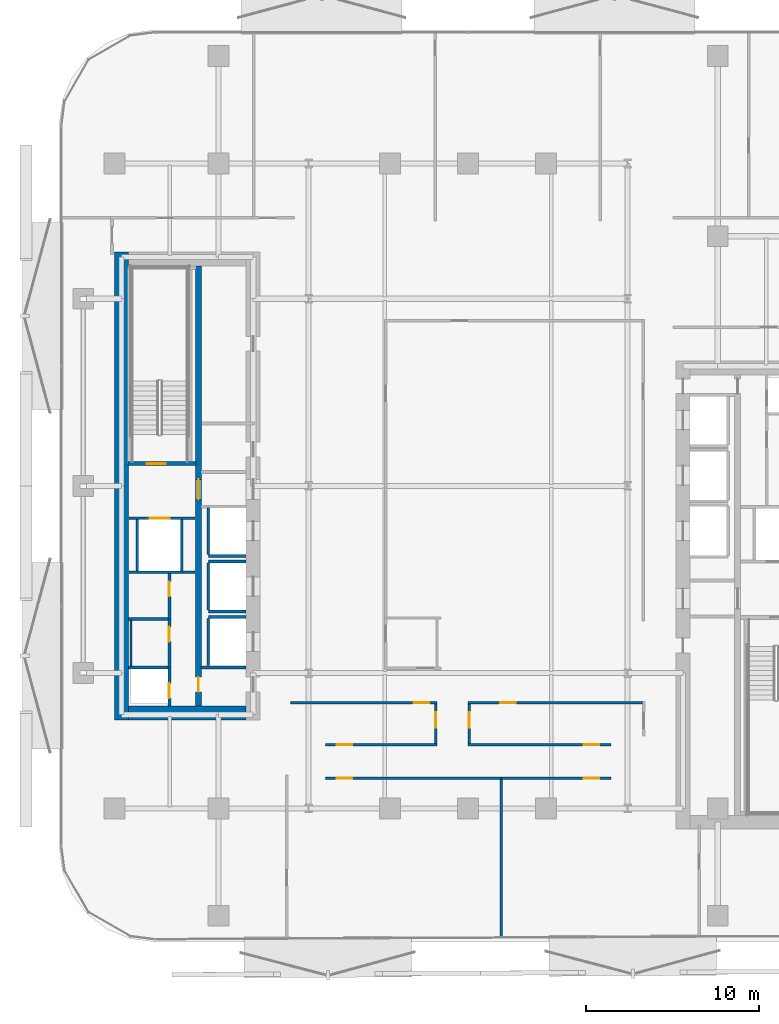
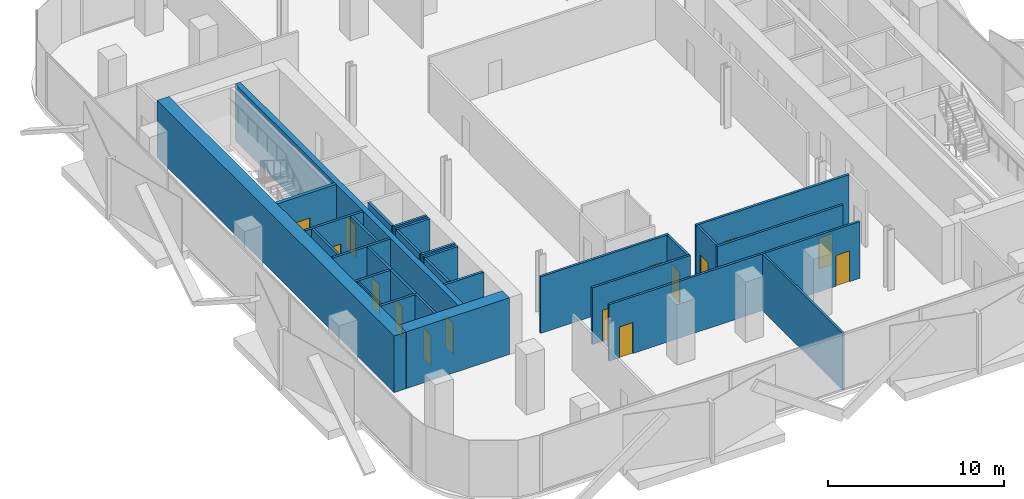
# One storey, part 3 of 15: 31 walls, 15 doors, 15 openings.
"""IFC4 building model written with IfcOpenShell, lengths in metres."""

from ifc_helpers import new_model, si_unit, direction, frame, frame_2d, origin, place, context, subcontext, project, spatial, rectangle, extrude, material, layer, layer_set, type_object, element, fill, save


model = new_model("IFC4")

# Units and contexts
model_context = context("Model", 3, precision=1e-05, world=origin(), true_north=direction((0.0, 1.0)))
body_context = subcontext(model_context, "Body", "Model", "MODEL_VIEW")
ifc_project = project(units=[si_unit("LENGTHUNIT", "METRE"), si_unit("AREAUNIT", "SQUARE_METRE"), si_unit("VOLUMEUNIT", "CUBIC_METRE"), si_unit("PLANEANGLEUNIT", "RADIAN"), si_unit("MASSUNIT", "GRAM", prefix="KILO")], contexts=[model_context])

# Site, building, storey
site_placement = place(None, origin())
site = spatial("IfcSite", under=ifc_project, at=site_placement, CompositionType="ELEMENT")
building_placement = place(site_placement, origin())
building = spatial("IfcBuilding", under=site, at=building_placement, Name="Khairoan Windgate Tower", CompositionType="ELEMENT")
storey_placement = place(building_placement, frame((0.0, 0.0, 118.39990234375)))
storey = spatial("IfcBuildingStorey", under=building, at=storey_placement, Name="L27", CompositionType="ELEMENT", Elevation=118.39990234375)

# Walls
ifc_material_1 = material(Name="Moisture-Resistant Gypsum Partition", Category="gypsum")
ifc_layer_1 = layer(ifc_material_1, 0.10009765625, Name="Moisture-Resistant Gypsum Partition")
ifc_layer_set_1 = layer_set([ifc_layer_1], Name="Moisture-Resistant Gypsum Partition")
wall_type_1 = type_object("IfcWallType", Name="Bathroom Wet-Area Partition Wall", PredefinedType="PARTITIONING", material=ifc_layer_set_1)
wall_1_placement = place(storey_placement, frame((-19.449951171875, -10.389892578125, 0.0), z_axis=(0.0, 0.0, 1.0), x_axis=(0.0, 1.0, 0.0)))
element("IfcWall", 1, at=wall_1_placement, inside=storey, type_object=wall_type_1, Name="L27 Wet Room Side Wall 041", PredefinedType="PARTITIONING", context=body_context, shape_type="SweptSolid", body=[
    extrude(rectangle(XDim=2.639892578125, YDim=0.10009765625, at=frame_2d((1.31982421875, 0.0))), origin(), (0.0, 0.0, 1.0), 3.940185546875),
])
ifc_material_2 = material(Name="Concrete C40/50", Category="concrete")
ifc_layer_2 = layer(ifc_material_2, 0.159912109375, Name="Concrete C40/50")
ifc_layer_set_2 = layer_set([ifc_layer_2], Name="Concrete C40/50")
wall_type_2 = type_object("IfcWallType", Name="Core and Hoistway Enclosure Wall", PredefinedType="STANDARD", material=ifc_layer_set_2)
wall_2_placement = place(storey_placement, frame((-14.989990234375, -4.0400390625, 0.0), z_axis=(0.0, 0.0, 1.0), x_axis=(1.0, 0.0, 0.0)))
element("IfcWall", 2, at=wall_2_placement, inside=storey, type_object=wall_type_2, Name="L27 Lift PL4 Hoistway Divider S", PredefinedType="STANDARD", context=body_context, shape_type="SweptSolid", body=[
    extrude(rectangle(XDim=2.18994140625, YDim=0.159912109375, at=frame_2d((1.094970703125, 0.0))), origin(), (0.0, 0.0, 1.0), 3.940185546875),
])
wall_3_placement = place(storey_placement, frame((-14.989990234375, -3.949951171875, 0.0), z_axis=(0.0, 0.0, 1.0), x_axis=(0.0, 1.0, 0.0)))
element("IfcWall", 3, at=wall_3_placement, inside=storey, type_object=wall_type_2, Name="L27 Lift PL4 Hoistway Back Wall", PredefinedType="STANDARD", context=body_context, shape_type="SweptSolid", body=[
    extrude(rectangle(XDim=2.699951171875, YDim=0.159912109375, at=frame_2d((1.35009765625, 0.0))), origin(), (0.0, 0.0, 1.0), 3.940185546875),
])
for number, where, z_axis, x_axis, name in (
    (4, (-14.989990234375, -7.239990234375, 0.0), (0.0, 0.0, 1.0), (1.0, 0.0, 0.0), "L27 Lift PL5 Hoistway Divider S"),
    (5, (-14.989990234375, -4.360107421875, 0.0), (0.0, 0.0, 1.0), (1.0, 0.0, 0.0), "L27 Lift PL5 Hoistway Divider N"),
):
    element("IfcWall", number, at=place(storey_placement, frame(where, z_axis=z_axis, x_axis=x_axis)), inside=storey, type_object=wall_type_2, Name=name, PredefinedType="STANDARD", context=body_context, shape_type="SweptSolid", body=[
        extrude(rectangle(XDim=2.18994140625, YDim=0.159912109375, at=frame_2d((1.094970703125, 0.0))), origin(), (0.0, 0.0, 1.0), 3.940185546875),
    ])
wall_4_placement = place(storey_placement, frame((-14.989990234375, -7.14990234375, 0.0), z_axis=(0.0, 0.0, 1.0), x_axis=(0.0, 1.0, 0.0)))
element("IfcWall", 6, at=wall_4_placement, inside=storey, type_object=wall_type_2, Name="L27 Lift PL5 Hoistway Back Wall", PredefinedType="STANDARD", context=body_context, shape_type="SweptSolid", body=[
    extrude(rectangle(XDim=2.699951171875, YDim=0.159912109375, at=frame_2d((1.35009765625, 0.0))), origin(), (0.0, 0.0, 1.0), 3.940185546875),
])
wall_5_placement = place(storey_placement, frame((-14.989990234375, -7.56005859375, 0.0), z_axis=(0.0, 0.0, 1.0), x_axis=(1.0, 0.0, 0.0)))
element("IfcWall", 7, at=wall_5_placement, inside=storey, type_object=wall_type_2, Name="L27 Lift PL6 Hoistway Divider N", PredefinedType="STANDARD", context=body_context, shape_type="SweptSolid", body=[
    extrude(rectangle(XDim=2.18994140625, YDim=0.159912109375, at=frame_2d((1.094970703125, 0.0))), origin(), (0.0, 0.0, 1.0), 3.940185546875),
])
wall_6_placement = place(storey_placement, frame((-14.989990234375, -10.35009765625, 0.0), z_axis=(0.0, 0.0, 1.0), x_axis=(0.0, 1.0, 0.0)))
element("IfcWall", 8, at=wall_6_placement, inside=storey, type_object=wall_type_2, Name="L27 Lift PL6 Hoistway Back Wall", PredefinedType="STANDARD", context=body_context, shape_type="SweptSolid", body=[
    extrude(rectangle(XDim=2.7001953125, YDim=0.159912109375, at=frame_2d((1.35009765625, 0.0))), origin(), (0.0, 0.0, 1.0), 3.940185546875),
])

# Wall, opening, door
wall_7_placement = place(storey_placement, frame((-19.550048828125, -1.860107421875, 0.0), z_axis=(0.0, 0.0, 1.0), x_axis=(1.0, 0.0, 0.0)))
wall_7 = element("IfcWall", 9, at=wall_7_placement, inside=storey, type_object=wall_type_2, Name="L27 Core Shaft Wall SW-FL2-L27", PredefinedType="STANDARD", context=body_context, shape_type="SweptSolid", body=[
    extrude(rectangle(XDim=3.800048828125, YDim=0.159912109375, at=frame_2d((1.89990234375, 0.0))), origin(), (0.0, 0.0, 1.0), 3.940185546875),
])
opening_1_placement = place(wall_7_placement, frame((1.179931640625, 0.0, 0.0)))
opening_1 = element("IfcOpeningElement", 10, at=opening_1_placement, cuts=wall_7, Name="Opening LD-FL", PredefinedType="OPENING", context=body_context, shape_type="SweptSolid", body=[
    extrude(rectangle(XDim=1.14990234375, YDim=2.199951171875, at=frame_2d((0.574951171875, 1.10009765625))), frame((0.0, 0.08984375, 0.0), z_axis=(0.0, -1.0, 0.0), x_axis=(1.0, 0.0, 0.0)), (0.0, 0.0, 1.0), 0.179931640625),
])
ifc_material_3 = material(Name="Steel S355", Category="steel")
door_type_1 = type_object("IfcDoorType", Name="Firefighting Lift Sliding Landing Door LD-FL 1150x2200", OperationType="DOUBLE_DOOR_SLIDING", PredefinedType="DOOR", material=ifc_material_3)
door_1_placement = place(opening_1_placement, origin())
door_1 = element("IfcDoor", 11, at=door_1_placement, inside=storey, type_object=door_type_1, Name="L27 Firefighting Lift FL2 Landing Door", OperationType="DOUBLE_DOOR_SLIDING", OverallHeight=2.199951171875, OverallWidth=1.14990234375, PredefinedType="DOOR", context=body_context, shape_type="SweptSolid", body=[
    extrude(rectangle(XDim=1.14990234375, YDim=2.199951171875, at=frame_2d((0.574951171875, 1.10009765625))), frame((0.0, 0.02490234375, 0.0), z_axis=(0.0, -1.0, 0.0), x_axis=(1.0, 0.0, 0.0)), (0.0, 0.0, 1.0), 0.050048828125),
])
fill(opening_1, door_1)

# Walls
wall_8_placement = place(storey_placement, frame((-19.550048828125, -4.97998046875, 0.0), z_axis=(0.0, 0.0, 1.0), x_axis=(1.0, 0.0, 0.0)))
element("IfcWall", 12, at=wall_8_placement, inside=storey, type_object=wall_type_2, Name="L27 Core Shaft Wall SW-FL2B-L27", PredefinedType="STANDARD", context=body_context, shape_type="SweptSolid", body=[
    extrude(rectangle(XDim=3.800048828125, YDim=0.159912109375, at=frame_2d((1.89990234375, 0.0))), origin(), (0.0, 0.0, 1.0), 3.940185546875),
])
for number, where, z_axis, x_axis, name in (
    (13, (-19.080078125, -4.89990234375, 0.0), (0.0, 0.0, 1.0), (0.0, 1.0, 0.0), "L27 Core Shaft Wall SW-FL2W-L27"),
    (14, (-16.52001953125, -4.89990234375, 0.0), (0.0, 0.0, 1.0), (0.0, 1.0, 0.0), "L27 Core Shaft Wall SW-FL2E-L27"),
):
    element("IfcWall", number, at=place(storey_placement, frame(where, z_axis=z_axis, x_axis=x_axis)), inside=storey, type_object=wall_type_2, Name=name, PredefinedType="STANDARD", context=body_context, shape_type="SweptSolid", body=[
        extrude(rectangle(XDim=2.9599609375, YDim=0.159912109375, at=frame_2d((1.47998046875, 0.0))), origin(), (0.0, 0.0, 1.0), 3.940185546875),
    ])
wall_9_placement = place(storey_placement, frame((-15.39990234375, -10.47998046875, 0.0), z_axis=(0.0, 0.0, 1.0), x_axis=(1.0, 0.0, 0.0)))
element("IfcWall", 15, at=wall_9_placement, inside=storey, type_object=wall_type_2, Name="L27 Core Shaft Wall SW-WSV-L27", PredefinedType="STANDARD", context=body_context, shape_type="SweptSolid", body=[
    extrude(rectangle(XDim=2.599853515625, YDim=0.159912109375, at=frame_2d((1.2998046875, 0.0))), origin(), (0.0, 0.0, 1.0), 3.940185546875),
])
ifc_material_4 = material(Name="Acoustic Fire-Rated Gypsum Partition", Category="gypsum")
ifc_layer_3 = layer(ifc_material_4, 0.139892578125, Name="Acoustic Fire-Rated Gypsum Partition")
ifc_layer_set_3 = layer_set([ifc_layer_3], Name="Acoustic Fire-Rated Gypsum Partition")
wall_type_3 = type_object("IfcWallType", Name="Inter-Tenancy Compartment Wall", PredefinedType="PARTITIONING", material=ifc_layer_set_3)
wall_10_placement = place(storey_placement, frame((1.904052734375, -26.05712890625, 0.0), z_axis=(0.0, 0.0, 1.0), x_axis=(0.0, 1.0, 0.0)))
element("IfcWall", 16, at=wall_10_placement, inside=storey, type_object=wall_type_3, Name="L27 Interior Partition 038", PredefinedType="PARTITIONING", context=body_context, shape_type="SweptSolid", body=[
    extrude(rectangle(XDim=9.1220703125, YDim=0.139892578125, at=frame_2d((4.56103515625, 0.0))), origin(), (0.0, 0.0, 1.0), 3.940185546875),
])

# Wall, opening, door
ifc_material_5 = material(Name="Concrete C40/50", Category="concrete")
ifc_layer_4 = layer(ifc_material_5, 0.159912109375, Name="Concrete C40/50")
ifc_layer_set_4 = layer_set([ifc_layer_4], Name="Concrete C40/50")
wall_type_4 = type_object("IfcWallType", Name="Plant and Refuge Compartment Wall", PredefinedType="PARTITIONING", material=ifc_layer_set_4)
wall_11_placement = place(storey_placement, frame((-17.22998046875, -12.699951171875, 0.0), z_axis=(0.0, 0.0, 1.0), x_axis=(0.0, 1.0, 0.0)))
wall_11 = element("IfcWall", 17, at=wall_11_placement, inside=storey, type_object=wall_type_4, Name="L27 Interior Partition 001", PredefinedType="PARTITIONING", context=body_context, shape_type="SweptSolid", body=[
    extrude(rectangle(XDim=2.22998046875, YDim=0.159912109375, at=frame_2d((1.114990234375, 0.0))), origin(), (0.0, 0.0, 1.0), 3.940185546875),
])
opening_2_placement = place(wall_11_placement, frame((0.4599609375, 0.0, 0.0)))
opening_2 = element("IfcOpeningElement", 18, at=opening_2_placement, cuts=wall_11, Name="Opening FD-SRV", PredefinedType="OPENING", context=body_context, shape_type="SweptSolid", body=[
    extrude(rectangle(XDim=0.85009765625, YDim=2.10009765625, at=frame_2d((0.425048828125, 1.050048828125))), frame((0.0, 0.08984375, 0.0), z_axis=(0.0, -1.0, 0.0), x_axis=(1.0, 0.0, 0.0)), (0.0, 0.0, 1.0), 0.179931640625),
])
ifc_material_6 = material(Name="Steel S355", Category="steel")
door_type_2 = type_object("IfcDoorType", Name="Core Service and Riser Fire Door FD-SRV 850x2100", OperationType="NOTDEFINED", PredefinedType="DOOR", material=ifc_material_6)
door_2_placement = place(opening_2_placement, origin())
door_2 = element("IfcDoor", 19, at=door_2_placement, inside=storey, type_object=door_type_2, Name="L27 L27-04-L27-05 Door", OperationType="SINGLE_SWING_RIGHT", OverallHeight=2.10009765625, OverallWidth=0.85009765625, PredefinedType="DOOR", context=body_context, shape_type="SweptSolid", body=[
    extrude(rectangle(XDim=0.85009765625, YDim=2.10009765625, at=frame_2d((0.425048828125, 1.050048828125))), frame((0.0, 0.02490234375, 0.0), z_axis=(0.0, -1.0, 0.0), x_axis=(1.0, 0.0, 0.0)), (0.0, 0.0, 1.0), 0.050048828125),
])
fill(opening_2, door_2)

wall_12_placement = place(storey_placement, frame((-17.22998046875, -10.469970703125, 0.0), z_axis=(0.0, 0.0, 1.0), x_axis=(0.0, 1.0, 0.0)))
wall_12 = element("IfcWall", 20, at=wall_12_placement, inside=storey, type_object=wall_type_4, Name="L27 Interior Partition 002", PredefinedType="PARTITIONING", context=body_context, shape_type="SweptSolid", body=[
    extrude(rectangle(XDim=2.800048828125, YDim=0.159912109375, at=frame_2d((1.39990234375, 0.0))), origin(), (0.0, 0.0, 1.0), 3.940185546875),
])
opening_3_placement = place(wall_12_placement, frame((1.489990234375, 0.0, 0.0)))
opening_3 = element("IfcOpeningElement", 21, at=opening_3_placement, cuts=wall_12, Name="Opening FD-SRV", PredefinedType="OPENING", context=body_context, shape_type="SweptSolid", body=[
    extrude(rectangle(XDim=0.85009765625, YDim=2.10009765625, at=frame_2d((0.425048828125, 1.050048828125))), frame((0.0, 0.08984375, 0.0), z_axis=(0.0, -1.0, 0.0), x_axis=(1.0, 0.0, 0.0)), (0.0, 0.0, 1.0), 0.179931640625),
])
door_3_placement = place(opening_3_placement, origin())
door_3 = element("IfcDoor", 22, at=door_3_placement, inside=storey, type_object=door_type_2, Name="L27 L27-04-L27-06 Door", OperationType="SINGLE_SWING_LEFT", OverallHeight=2.10009765625, OverallWidth=0.85009765625, PredefinedType="DOOR", context=body_context, shape_type="SweptSolid", body=[
    extrude(rectangle(XDim=0.85009765625, YDim=2.10009765625, at=frame_2d((0.425048828125, 1.050048828125))), frame((0.0, 0.02490234375, 0.0), z_axis=(0.0, -1.0, 0.0), x_axis=(1.0, 0.0, 0.0)), (0.0, 0.0, 1.0), 0.050048828125),
])
fill(opening_3, door_3)

wall_13_placement = place(storey_placement, frame((-17.22998046875, -7.669921875, 0.0), z_axis=(0.0, 0.0, 1.0), x_axis=(0.0, 1.0, 0.0)))
wall_13 = element("IfcWall", 23, at=wall_13_placement, inside=storey, type_object=wall_type_4, Name="L27 Interior Partition 003", PredefinedType="PARTITIONING", context=body_context, shape_type="SweptSolid", body=[
    extrude(rectangle(XDim=2.60986328125, YDim=0.159912109375, at=frame_2d((1.304931640625, 0.0))), origin(), (0.0, 0.0, 1.0), 3.940185546875),
])
opening_4_placement = place(wall_13_placement, frame((1.300048828125, 0.0, 0.0)))
opening_4 = element("IfcOpeningElement", 24, at=opening_4_placement, cuts=wall_13, Name="Opening FD-SRV", PredefinedType="OPENING", context=body_context, shape_type="SweptSolid", body=[
    extrude(rectangle(XDim=0.85009765625, YDim=2.10009765625, at=frame_2d((0.425048828125, 1.050048828125))), frame((0.0, 0.08984375, 0.0), z_axis=(0.0, -1.0, 0.0), x_axis=(1.0, 0.0, 0.0)), (0.0, 0.0, 1.0), 0.179931640625),
])
door_4_placement = place(opening_4_placement, origin())
door_4 = element("IfcDoor", 25, at=door_4_placement, inside=storey, type_object=door_type_2, Name="L27 L27-04-L27-07 Door", OperationType="SINGLE_SWING_RIGHT", OverallHeight=2.10009765625, OverallWidth=0.85009765625, PredefinedType="DOOR", context=body_context, shape_type="SweptSolid", body=[
    extrude(rectangle(XDim=0.85009765625, YDim=2.10009765625, at=frame_2d((0.425048828125, 1.050048828125))), frame((0.0, 0.02490234375, 0.0), z_axis=(0.0, -1.0, 0.0), x_axis=(1.0, 0.0, 0.0)), (0.0, 0.0, 1.0), 0.050048828125),
])
fill(opening_4, door_4)

# Walls
for number, where, z_axis, x_axis, name in (
    (26, (-19.60009765625, -10.469970703125, 0.0), (0.0, 0.0, 1.0), (1.0, 0.0, 0.0), "L27 Interior Partition 004"),
    (27, (-19.60009765625, -7.669921875, 0.0), (0.0, 0.0, 1.0), (1.0, 0.0, 0.0), "L27 Interior Partition 005"),
):
    element("IfcWall", number, at=place(storey_placement, frame(where, z_axis=z_axis, x_axis=x_axis)), inside=storey, type_object=wall_type_4, Name=name, PredefinedType="PARTITIONING", context=body_context, shape_type="SweptSolid", body=[
        extrude(rectangle(XDim=2.2900390625, YDim=0.159912109375, at=frame_2d((1.14501953125, 0.0))), origin(), (0.0, 0.0, 1.0), 3.940185546875),
    ])

# Wall, opening, door
ifc_material_7 = material(Name="Acoustic Fire-Rated Gypsum Partition", Category="gypsum")
ifc_layer_5 = layer(ifc_material_7, 0.14990234375, Name="Acoustic Fire-Rated Gypsum Partition")
ifc_layer_set_5 = layer_set([ifc_layer_5], Name="Acoustic Fire-Rated Gypsum Partition")
wall_type_5 = type_object("IfcWallType", Name="Rated Corridor Partition Wall", PredefinedType="PARTITIONING", material=ifc_layer_set_5)
wall_14_placement = place(storey_placement, frame((-10.239990234375, -12.514892578125, 0.0), z_axis=(0.0, 0.0, 1.0), x_axis=(1.0, 0.0, 0.0)))
wall_14 = element("IfcWall", 28, at=wall_14_placement, inside=storey, type_object=wall_type_5, Name="L27 Interior Partition 015", PredefinedType="PARTITIONING", context=body_context, shape_type="SweptSolid", body=[
    extrude(rectangle(XDim=8.455078125, YDim=0.14990234375, at=frame_2d((4.2275390625, 0.0))), origin(), (0.0, 0.0, 1.0), 3.940185546875),
])
opening_5_placement = place(wall_14_placement, frame((7.094970703125, 0.0, 0.0)))
opening_5 = element("IfcOpeningElement", 29, at=opening_5_placement, cuts=wall_14, Name="Opening FD-ENT", PredefinedType="OPENING", context=body_context, shape_type="SweptSolid", body=[
    extrude(rectangle(XDim=0.89990234375, YDim=2.14990234375, at=frame_2d((0.449951171875, 1.074951171875))), frame((0.0, 0.0849609375, 0.0), z_axis=(0.0, -1.0, 0.0), x_axis=(1.0, 0.0, 0.0)), (0.0, 0.0, 1.0), 0.169921875),
])
ifc_material_8 = material(Name="Timber Fire-Rated Core", Category="wood")
door_type_3 = type_object("IfcDoorType", Name="Unit and Office Fire Entrance Door FD-ENT 900x2150", OperationType="NOTDEFINED", PredefinedType="DOOR", material=ifc_material_8)
door_5_placement = place(opening_5_placement, origin())
door_5 = element("IfcDoor", 30, at=door_5_placement, inside=storey, type_object=door_type_3, Name="L27 L27-30-L27-50 Door", OperationType="SINGLE_SWING_RIGHT", OverallHeight=2.14990234375, OverallWidth=0.89990234375, PredefinedType="DOOR", context=body_context, shape_type="SweptSolid", body=[
    extrude(rectangle(XDim=0.89990234375, YDim=2.14990234375, at=frame_2d((0.449951171875, 1.074951171875))), frame((0.0, 0.02490234375, 0.0), z_axis=(0.0, -1.0, 0.0), x_axis=(1.0, 0.0, 0.0)), (0.0, 0.0, 1.0), 0.050048828125),
])
fill(opening_5, door_5)

wall_15_placement = place(storey_placement, frame((-0.014892578125, -12.514892578125, 0.0), z_axis=(0.0, 0.0, 1.0), x_axis=(1.0, 0.0, 0.0)))
wall_15 = element("IfcWall", 31, at=wall_15_placement, inside=storey, type_object=wall_type_5, Name="L27 Interior Partition 016", PredefinedType="PARTITIONING", context=body_context, shape_type="SweptSolid", body=[
    extrude(rectangle(XDim=10.06494140625, YDim=0.14990234375, at=frame_2d((5.032470703125, 0.0))), origin(), (0.0, 0.0, 1.0), 3.940185546875),
])
opening_6_placement = place(wall_15_placement, frame((1.86767578125, 0.0, 0.0)))
opening_6 = element("IfcOpeningElement", 32, at=opening_6_placement, cuts=wall_15, Name="Opening FD-ENT", PredefinedType="OPENING", context=body_context, shape_type="SweptSolid", body=[
    extrude(rectangle(XDim=0.89990234375, YDim=2.14990234375, at=frame_2d((0.449951171875, 1.074951171875))), frame((0.0, 0.0849609375, 0.0), z_axis=(0.0, -1.0, 0.0), x_axis=(1.0, 0.0, 0.0)), (0.0, 0.0, 1.0), 0.169921875),
])
door_6_placement = place(opening_6_placement, origin())
door_6 = element("IfcDoor", 33, at=door_6_placement, inside=storey, type_object=door_type_3, Name="L27 L27-30-L27-51 Door", OperationType="SINGLE_SWING_LEFT", OverallHeight=2.14990234375, OverallWidth=0.89990234375, PredefinedType="DOOR", context=body_context, shape_type="SweptSolid", body=[
    extrude(rectangle(XDim=0.89990234375, YDim=2.14990234375, at=frame_2d((0.449951171875, 1.074951171875))), frame((0.0, 0.02490234375, 0.0), z_axis=(0.0, -1.0, 0.0), x_axis=(1.0, 0.0, 0.0)), (0.0, 0.0, 1.0), 0.050048828125),
])
fill(opening_6, door_6)

wall_16_placement = place(storey_placement, frame((-8.239990234375, -16.860107421875, 0.0), z_axis=(0.0, 0.0, 1.0), x_axis=(1.0, 0.0, 0.0)))
wall_16 = element("IfcWall", 34, at=wall_16_placement, inside=storey, type_object=wall_type_5, Name="L27 Interior Partition 023", PredefinedType="PARTITIONING", context=body_context, shape_type="SweptSolid", body=[
    extrude(rectangle(XDim=10.14404296875, YDim=0.14990234375, at=frame_2d((5.072021484375, 0.0))), origin(), (0.0, 0.0, 1.0), 3.940185546875),
])
opening_7_placement = place(wall_16_placement, frame((0.6630859375, 0.0, 0.0)))
opening_7 = element("IfcOpeningElement", 35, at=opening_7_placement, cuts=wall_16, Name="Opening FD-ENT", PredefinedType="OPENING", context=body_context, shape_type="SweptSolid", body=[
    extrude(rectangle(XDim=0.89990234375, YDim=2.14990234375, at=frame_2d((0.449951171875, 1.074951171875))), frame((0.0, 0.0849609375, 0.0), z_axis=(0.0, -1.0, 0.0), x_axis=(1.0, 0.0, 0.0)), (0.0, 0.0, 1.0), 0.169921875),
])
door_7_placement = place(opening_7_placement, origin())
door_7 = element("IfcDoor", 36, at=door_7_placement, inside=storey, type_object=door_type_3, Name="L27 L27-34-L27-45 Door", OperationType="SINGLE_SWING_RIGHT", OverallHeight=2.14990234375, OverallWidth=0.89990234375, PredefinedType="DOOR", context=body_context, shape_type="SweptSolid", body=[
    extrude(rectangle(XDim=0.89990234375, YDim=2.14990234375, at=frame_2d((0.449951171875, 1.074951171875))), frame((0.0, 0.02490234375, 0.0), z_axis=(0.0, -1.0, 0.0), x_axis=(1.0, 0.0, 0.0)), (0.0, 0.0, 1.0), 0.050048828125),
])
fill(opening_7, door_7)

wall_17_placement = place(storey_placement, frame((1.904052734375, -16.860107421875, 0.0), z_axis=(0.0, 0.0, 1.0), x_axis=(1.0, 0.0, 0.0)))
wall_17 = element("IfcWall", 37, at=wall_17_placement, inside=storey, type_object=wall_type_5, Name="L27 Interior Partition 024", PredefinedType="PARTITIONING", context=body_context, shape_type="SweptSolid", body=[
    extrude(rectangle(XDim=6.3359375, YDim=0.14990234375, at=frame_2d((3.16796875, 0.0))), origin(), (0.0, 0.0, 1.0), 3.940185546875),
])
opening_8_placement = place(wall_17_placement, frame((4.770751953125, 0.0, 0.0)))
opening_8 = element("IfcOpeningElement", 38, at=opening_8_placement, cuts=wall_17, Name="Opening FD-ENT", PredefinedType="OPENING", context=body_context, shape_type="SweptSolid", body=[
    extrude(rectangle(XDim=0.89990234375, YDim=2.14990234375, at=frame_2d((0.449951171875, 1.074951171875))), frame((0.0, 0.0849609375, 0.0), z_axis=(0.0, -1.0, 0.0), x_axis=(1.0, 0.0, 0.0)), (0.0, 0.0, 1.0), 0.169921875),
])
door_8_placement = place(opening_8_placement, origin())
door_8 = element("IfcDoor", 39, at=door_8_placement, inside=storey, type_object=door_type_3, Name="L27 L27-34-L27-46 Door", OperationType="SINGLE_SWING_LEFT", OverallHeight=2.14990234375, OverallWidth=0.89990234375, PredefinedType="DOOR", context=body_context, shape_type="SweptSolid", body=[
    extrude(rectangle(XDim=0.89990234375, YDim=2.14990234375, at=frame_2d((0.449951171875, 1.074951171875))), frame((0.0, 0.02490234375, 0.0), z_axis=(0.0, -1.0, 0.0), x_axis=(1.0, 0.0, 0.0)), (0.0, 0.0, 1.0), 0.050048828125),
])
fill(opening_8, door_8)

wall_18_placement = place(storey_placement, frame((-8.239990234375, -14.93994140625, 0.0), z_axis=(0.0, 0.0, 1.0), x_axis=(1.0, 0.0, 0.0)))
wall_18 = element("IfcWall", 40, at=wall_18_placement, inside=storey, type_object=wall_type_5, Name="L27 Interior Partition 025", PredefinedType="PARTITIONING", context=body_context, shape_type="SweptSolid", body=[
    extrude(rectangle(XDim=6.455078125, YDim=0.14990234375, at=frame_2d((3.2275390625, 0.0))), origin(), (0.0, 0.0, 1.0), 3.940185546875),
])
opening_9_placement = place(wall_18_placement, frame((0.66162109375, 0.0, 0.0)))
opening_9 = element("IfcOpeningElement", 41, at=opening_9_placement, cuts=wall_18, Name="Opening FD-ENT", PredefinedType="OPENING", context=body_context, shape_type="SweptSolid", body=[
    extrude(rectangle(XDim=0.89990234375, YDim=2.14990234375, at=frame_2d((0.449951171875, 1.074951171875))), frame((0.0, 0.0849609375, 0.0), z_axis=(0.0, -1.0, 0.0), x_axis=(1.0, 0.0, 0.0)), (0.0, 0.0, 1.0), 0.169921875),
])
door_9_placement = place(opening_9_placement, origin())
door_9 = element("IfcDoor", 42, at=door_9_placement, inside=storey, type_object=door_type_3, Name="L27 L27-34-L27-50 Door", OperationType="SINGLE_SWING_RIGHT", OverallHeight=2.14990234375, OverallWidth=0.89990234375, PredefinedType="DOOR", context=body_context, shape_type="SweptSolid", body=[
    extrude(rectangle(XDim=0.89990234375, YDim=2.14990234375, at=frame_2d((0.449951171875, 1.074951171875))), frame((0.0, 0.02490234375, 0.0), z_axis=(0.0, -1.0, 0.0), x_axis=(1.0, 0.0, 0.0)), (0.0, 0.0, 1.0), 0.050048828125),
])
fill(opening_9, door_9)

wall_19_placement = place(storey_placement, frame((-0.014892578125, -14.93994140625, 0.0), z_axis=(0.0, 0.0, 1.0), x_axis=(1.0, 0.0, 0.0)))
wall_19 = element("IfcWall", 43, at=wall_19_placement, inside=storey, type_object=wall_type_5, Name="L27 Interior Partition 026", PredefinedType="PARTITIONING", context=body_context, shape_type="SweptSolid", body=[
    extrude(rectangle(XDim=8.2548828125, YDim=0.14990234375, at=frame_2d((4.12744140625, 0.0))), origin(), (0.0, 0.0, 1.0), 3.940185546875),
])
opening_10_placement = place(wall_19_placement, frame((6.69384765625, 0.0, 0.0)))
opening_10 = element("IfcOpeningElement", 44, at=opening_10_placement, cuts=wall_19, Name="Opening FD-ENT", PredefinedType="OPENING", context=body_context, shape_type="SweptSolid", body=[
    extrude(rectangle(XDim=0.89990234375, YDim=2.14990234375, at=frame_2d((0.449951171875, 1.074951171875))), frame((0.0, 0.0849609375, 0.0), z_axis=(0.0, -1.0, 0.0), x_axis=(1.0, 0.0, 0.0)), (0.0, 0.0, 1.0), 0.169921875),
])
door_10_placement = place(opening_10_placement, origin())
door_10 = element("IfcDoor", 45, at=door_10_placement, inside=storey, type_object=door_type_3, Name="L27 L27-34-L27-51 Door", OperationType="SINGLE_SWING_LEFT", OverallHeight=2.14990234375, OverallWidth=0.89990234375, PredefinedType="DOOR", context=body_context, shape_type="SweptSolid", body=[
    extrude(rectangle(XDim=0.89990234375, YDim=2.14990234375, at=frame_2d((0.449951171875, 1.074951171875))), frame((0.0, 0.02490234375, 0.0), z_axis=(0.0, -1.0, 0.0), x_axis=(1.0, 0.0, 0.0)), (0.0, 0.0, 1.0), 0.050048828125),
])
fill(opening_10, door_10)

wall_20_placement = place(storey_placement, frame((-1.860107421875, -14.864990234375, 0.0), z_axis=(0.0, 0.0, 1.0), x_axis=(0.0, 1.0, 0.0)))
wall_20 = element("IfcWall", 46, at=wall_20_placement, inside=storey, type_object=wall_type_5, Name="L27 Interior Partition 027", PredefinedType="PARTITIONING", context=body_context, shape_type="SweptSolid", body=[
    extrude(rectangle(XDim=2.27490234375, YDim=0.14990234375, at=frame_2d((1.137451171875, 0.0))), origin(), (0.0, 0.0, 1.0), 3.940185546875),
])
opening_11_placement = place(wall_20_placement, frame((0.9150390625, 0.0, 0.0)))
opening_11 = element("IfcOpeningElement", 47, at=opening_11_placement, cuts=wall_20, Name="Opening FD-ENT", PredefinedType="OPENING", context=body_context, shape_type="SweptSolid", body=[
    extrude(rectangle(XDim=0.89990234375, YDim=2.14990234375, at=frame_2d((0.449951171875, 1.074951171875))), frame((0.0, 0.0849609375, 0.0), z_axis=(0.0, -1.0, 0.0), x_axis=(1.0, 0.0, 0.0)), (0.0, 0.0, 1.0), 0.169921875),
])
door_11_placement = place(opening_11_placement, origin())
door_11 = element("IfcDoor", 48, at=door_11_placement, inside=storey, type_object=door_type_3, Name="L27 L27-35-L27-50 Door", OperationType="SINGLE_SWING_RIGHT", OverallHeight=2.14990234375, OverallWidth=0.89990234375, PredefinedType="DOOR", context=body_context, shape_type="SweptSolid", body=[
    extrude(rectangle(XDim=0.89990234375, YDim=2.14990234375, at=frame_2d((0.449951171875, 1.074951171875))), frame((0.0, 0.02490234375, 0.0), z_axis=(0.0, -1.0, 0.0), x_axis=(1.0, 0.0, 0.0)), (0.0, 0.0, 1.0), 0.050048828125),
])
fill(opening_11, door_11)

wall_21_placement = place(storey_placement, frame((0.06005859375, -14.864990234375, 0.0), z_axis=(0.0, 0.0, 1.0), x_axis=(0.0, 1.0, 0.0)))
wall_21 = element("IfcWall", 49, at=wall_21_placement, inside=storey, type_object=wall_type_5, Name="L27 Interior Partition 028", PredefinedType="PARTITIONING", context=body_context, shape_type="SweptSolid", body=[
    extrude(rectangle(XDim=2.27490234375, YDim=0.14990234375, at=frame_2d((1.137451171875, 0.0))), origin(), (0.0, 0.0, 1.0), 3.940185546875),
])
opening_12_placement = place(wall_21_placement, frame((0.9150390625, 0.0, 0.0)))
opening_12 = element("IfcOpeningElement", 50, at=opening_12_placement, cuts=wall_21, Name="Opening FD-ENT", PredefinedType="OPENING", context=body_context, shape_type="SweptSolid", body=[
    extrude(rectangle(XDim=0.89990234375, YDim=2.14990234375, at=frame_2d((0.449951171875, 1.074951171875))), frame((0.0, 0.0849609375, 0.0), z_axis=(0.0, -1.0, 0.0), x_axis=(1.0, 0.0, 0.0)), (0.0, 0.0, 1.0), 0.169921875),
])
door_12_placement = place(opening_12_placement, origin())
door_12 = element("IfcDoor", 51, at=door_12_placement, inside=storey, type_object=door_type_3, Name="L27 L27-35-L27-51 Door", OperationType="SINGLE_SWING_LEFT", OverallHeight=2.14990234375, OverallWidth=0.89990234375, PredefinedType="DOOR", context=body_context, shape_type="SweptSolid", body=[
    extrude(rectangle(XDim=0.89990234375, YDim=2.14990234375, at=frame_2d((0.449951171875, 1.074951171875))), frame((0.0, 0.02490234375, 0.0), z_axis=(0.0, -1.0, 0.0), x_axis=(1.0, 0.0, 0.0)), (0.0, 0.0, 1.0), 0.050048828125),
])
fill(opening_12, door_12)

# Walls
ifc_material_9 = material(Name="Concrete C70/85", Category="concrete")
ifc_layer_6 = layer(ifc_material_9, 0.800048828125, Name="Concrete C70/85")
ifc_layer_set_6 = layer_set([ifc_layer_6], Name="Concrete C70/85")
wall_type_6 = type_object("IfcWallType", Name="Shear Wall CW-W1 800mm", PredefinedType="SHEAR", material=ifc_layer_set_6)
wall_22_placement = place(storey_placement, frame((-20.0, -13.5, 0.0), z_axis=(0.0, 0.0, 1.0), x_axis=(0.0, 1.0, 0.0)))
element("IfcWall", 52, at=wall_22_placement, inside=storey, type_object=wall_type_6, Name="W Core West Shear Wall L27", PredefinedType="SHEAR", context=body_context, shape_type="SweptSolid", body=[
    extrude(rectangle(XDim=27.0, YDim=0.800048828125, at=frame_2d((13.5, 0.0))), origin(), (0.0, 0.0, 1.0), 3.940185546875),
])
wall_23_placement = place(storey_placement, frame((-19.60009765625, -13.10009765625, 0.0), z_axis=(0.0, 0.0, 1.0), x_axis=(1.0, 0.0, 0.0)))
element("IfcWall", 53, at=wall_23_placement, inside=storey, type_object=wall_type_6, Name="W Core South Shear Wall L27", PredefinedType="SHEAR", context=body_context, shape_type="SweptSolid", body=[
    extrude(rectangle(XDim=6.800048828125, YDim=0.800048828125, at=frame_2d((3.39990234375, 0.0))), origin(), (0.0, 0.0, 1.0), 3.940185546875),
])

# Wall, openings, doors
ifc_material_10 = material(Name="Concrete C60/75", Category="concrete")
ifc_layer_7 = layer(ifc_material_10, 0.35009765625, Name="Concrete C60/75")
ifc_layer_set_7 = layer_set([ifc_layer_7], Name="Concrete C60/75")
wall_type_7 = type_object("IfcWallType", Name="Shear Wall SW-1 350mm", PredefinedType="SHEAR", material=ifc_layer_set_7)
wall_24_placement = place(storey_placement, frame((-15.550048828125, -12.699951171875, 0.0), z_axis=(0.0, 0.0, 1.0), x_axis=(0.0, 1.0, 0.0)))
wall_24 = element("IfcWall", 54, at=wall_24_placement, inside=storey, type_object=wall_type_7, Name="W Core Spine Shear Wall L27", PredefinedType="SHEAR", context=body_context, shape_type="SweptSolid", body=[
    extrude(rectangle(XDim=25.39990234375, YDim=0.35009765625, at=frame_2d((12.699951171875, 0.0))), origin(), (0.0, 0.0, 1.0), 3.940185546875),
])
opening_13_placement = place(wall_24_placement, frame((11.925048828125, 0.0, 0.0)))
opening_13 = element("IfcOpeningElement", 55, at=opening_13_placement, cuts=wall_24, Name="Opening FD-FFL", PredefinedType="OPENING", context=body_context, shape_type="SweptSolid", body=[
    extrude(rectangle(XDim=1.14990234375, YDim=2.199951171875, at=frame_2d((0.574951171875, 1.10009765625))), frame((0.0, 0.18505859375, 0.0), z_axis=(0.0, -1.0, 0.0), x_axis=(1.0, 0.0, 0.0)), (0.0, 0.0, 1.0), 0.3701171875),
])
opening_14_placement = place(wall_24_placement, frame((0.824951171875, 0.0, 0.0)))
opening_14 = element("IfcOpeningElement", 56, at=opening_14_placement, cuts=wall_24, Name="Opening FD-SRV", PredefinedType="OPENING", context=body_context, shape_type="SweptSolid", body=[
    extrude(rectangle(XDim=0.85009765625, YDim=2.10009765625, at=frame_2d((0.425048828125, 1.050048828125))), frame((0.0, 0.18505859375, 0.0), z_axis=(0.0, -1.0, 0.0), x_axis=(1.0, 0.0, 0.0)), (0.0, 0.0, 1.0), 0.3701171875),
])
door_13_placement = place(opening_14_placement, origin())
door_13 = element("IfcDoor", 57, at=door_13_placement, inside=storey, type_object=door_type_2, Name="L27 West Core Service Passage Inner Door", OperationType="SINGLE_SWING_LEFT", OverallHeight=2.10009765625, OverallWidth=0.85009765625, PredefinedType="DOOR", context=body_context, shape_type="SweptSolid", body=[
    extrude(rectangle(XDim=0.85009765625, YDim=2.10009765625, at=frame_2d((0.425048828125, 1.050048828125))), frame((0.0, 0.02490234375, 0.0), z_axis=(0.0, -1.0, 0.0), x_axis=(1.0, 0.0, 0.0)), (0.0, 0.0, 1.0), 0.050048828125),
])
fill(opening_14, door_13)
ifc_material_11 = material(Name="Steel S355", Category="steel")
door_type_4 = type_object("IfcDoorType", Name="Firefighting Lobby Fire Door FD-FFL 1150x2200", OperationType="NOTDEFINED", PredefinedType="DOOR", material=ifc_material_11)
door_14_placement = place(opening_13_placement, origin())
door_14 = element("IfcDoor", 58, at=door_14_placement, inside=storey, type_object=door_type_4, Name="L27 West Firefighting Lobby Fire Door", OperationType="SINGLE_SWING_LEFT", OverallHeight=2.199951171875, OverallWidth=1.14990234375, PredefinedType="DOOR", context=body_context, shape_type="SweptSolid", body=[
    extrude(rectangle(XDim=1.14990234375, YDim=2.199951171875, at=frame_2d((0.574951171875, 1.10009765625))), frame((0.0, 0.02490234375, 0.0), z_axis=(0.0, -1.0, 0.0), x_axis=(1.0, 0.0, 0.0)), (0.0, 0.0, 1.0), 0.050048828125),
])
fill(opening_13, door_14)

# Wall, opening, door
ifc_material_12 = material(Name="Concrete C50/60", Category="concrete")
ifc_layer_8 = layer(ifc_material_12, 0.219970703125, Name="Concrete C50/60")
ifc_layer_set_8 = layer_set([ifc_layer_8], Name="Concrete C50/60")
wall_type_8 = type_object("IfcWallType", Name="Shear Wall SW-ST 220mm", PredefinedType="SHEAR", material=ifc_layer_set_8)
wall_25_placement = place(storey_placement, frame((-19.6201171875, 1.2900390625, 0.0), z_axis=(0.0, 0.0, 1.0), x_axis=(1.0, 0.0, 0.0)))
wall_25 = element("IfcWall", 59, at=wall_25_placement, inside=storey, type_object=wall_type_8, Name="L27 Stair ST2 South Bearing Wall", PredefinedType="SHEAR", context=body_context, shape_type="SweptSolid", body=[
    extrude(rectangle(XDim=3.9150390625, YDim=0.219970703125, at=frame_2d((1.95751953125, 0.0))), origin(), (0.0, 0.0, 1.0), 3.940185546875),
])
opening_15_placement = place(wall_25_placement, frame((1.080078125, 0.0, 0.0)))
opening_15 = element("IfcOpeningElement", 60, at=opening_15_placement, cuts=wall_25, Name="Opening FD-ST", PredefinedType="OPENING", context=body_context, shape_type="SweptSolid", body=[
    extrude(rectangle(XDim=1.10009765625, YDim=2.199951171875, at=frame_2d((0.550048828125, 1.10009765625))), frame((0.0, 0.119873046875, 0.0), z_axis=(0.0, -1.0, 0.0), x_axis=(1.0, 0.0, 0.0)), (0.0, 0.0, 1.0), 0.239990234375),
])
ifc_material_13 = material(Name="Steel S355", Category="steel")
door_type_5 = type_object("IfcDoorType", Name="Smokeproof Stair Fire Door FD-ST 1100x2200", OperationType="NOTDEFINED", PredefinedType="DOOR", material=ifc_material_13)
door_15_placement = place(opening_15_placement, origin())
door_15 = element("IfcDoor", 61, at=door_15_placement, inside=storey, type_object=door_type_5, Name="L27 Stair ST2 Fire Door", OperationType="SINGLE_SWING_RIGHT", OverallHeight=2.199951171875, OverallWidth=1.10009765625, PredefinedType="DOOR", context=body_context, shape_type="SweptSolid", body=[
    extrude(rectangle(XDim=1.10009765625, YDim=2.199951171875, at=frame_2d((0.550048828125, 1.10009765625))), frame((0.0, 0.02490234375, 0.0), z_axis=(0.0, -1.0, 0.0), x_axis=(1.0, 0.0, 0.0)), (0.0, 0.0, 1.0), 0.050048828125),
])
fill(opening_15, door_15)

save(model, "model.ifc")
